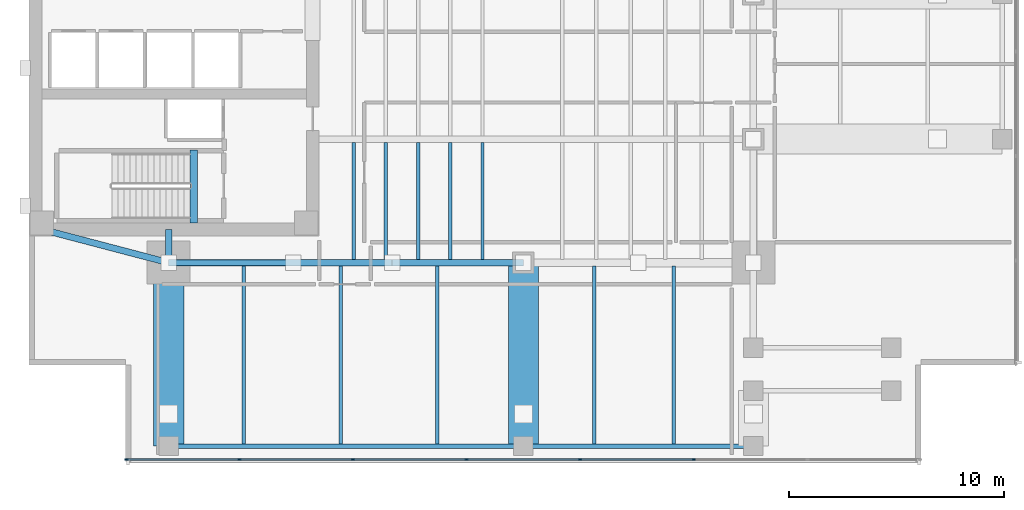
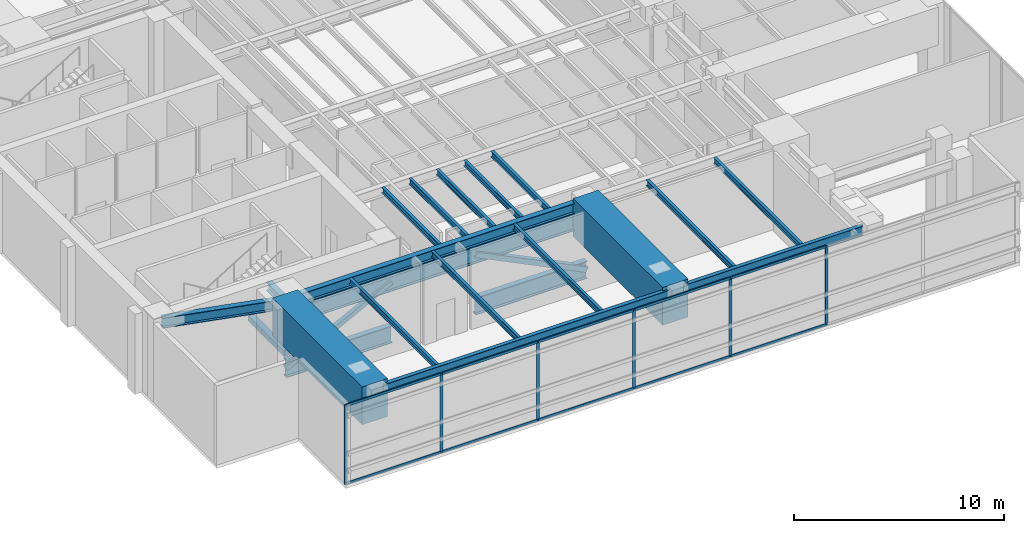
# One storey, part 2 of 14: 21 members, 18 beams, 1 element without a shape of its own.
"""IFC4 building model written with IfcOpenShell, lengths in metres."""

import ifcopenshell
import ifcopenshell.guid

model = None  # the IFC model being written
_history = None  # IfcOwnerHistory: only IFC2X3 demands one
_inside = {}  # id of a spatial element -> (the spatial element, [elements in it])
_under = {}  # id of a project, library or spatial element -> (it, [spatial elements below it])
_declared = {}  # id of a project -> (the project, [libraries it declares])
_typed = {}  # id of a type object -> (the type object, [elements of that type])
_made_of = {}  # id of a material, layer set ... -> (it, [elements and type objects made of it])


def new_model(schema):
    """Start an empty IFC model of exactly this schema.

    Asked for "IFC4X3", IfcOpenShell would pick the latest addendum, in which some entities
    have other attributes; the version numbers below select the first issue.
    IFC2X3 requires an IfcOwnerHistory on every rooted entity: one is made here for all.
    """
    global model, _history
    if schema == "IFC4X3":
        model = ifcopenshell.file(schema_version=(4, 3, 0, 0))
    else:
        model = ifcopenshell.file(schema=schema)
    _inside.clear()
    _under.clear()
    _declared.clear()
    _typed.clear()
    _made_of.clear()
    _history = None
    if model.schema == "IFC2X3":
        org = make("IfcOrganization", Name="unknown")
        user = make(
            "IfcPersonAndOrganization",
            ThePerson=make("IfcPerson", FamilyName="unknown"),
            TheOrganization=org,
        )
        app = make(
            "IfcApplication",
            ApplicationDeveloper=org,
            Version="unknown",
            ApplicationFullName="unknown",
            ApplicationIdentifier="unknown",
        )
        _history = make(
            "IfcOwnerHistory",
            OwningUser=user,
            OwningApplication=app,
            ChangeAction="ADDED",
            CreationDate=0,
        )
    return model


def make(cls, **values):
    """One entity of the class cls with the attributes given. An attribute that is None is left unset."""
    return model.create_entity(
        cls, **{name: value for name, value in values.items() if value is not None}
    )


def rooted(cls, **values):
    """An entity with a GlobalId (a new one), such as an element, a storey or a relation."""
    return make(cls, GlobalId=ifcopenshell.guid.new(), OwnerHistory=_history, **values)


def si_unit(unit_type, name, prefix=None):
    """IfcSIUnit, for example si_unit("LENGTHUNIT", "METRE", prefix="MILLI")."""
    return make("IfcSIUnit", UnitType=unit_type, Prefix=prefix, Name=name)


def assignment(units):
    """IfcUnitAssignment: the units of a project."""
    return None if units is None else make("IfcUnitAssignment", Units=units)


def point(xyz):
    """IfcCartesianPoint."""
    return None if xyz is None else make("IfcCartesianPoint", Coordinates=xyz)


def direction(xyz):
    """IfcDirection."""
    return None if xyz is None else make("IfcDirection", DirectionRatios=xyz)


def frame(location, z_axis=None, x_axis=None):
    """IfcAxis2Placement3D, a coordinate frame: its origin and axes. An axis left out is left unset."""
    return make(
        "IfcAxis2Placement3D",
        Location=point(location),
        Axis=direction(z_axis),
        RefDirection=direction(x_axis),
    )


def frame_2d(location, x_axis=None):
    """IfcAxis2Placement2D, a coordinate frame in the plane: its origin and x axis."""
    return make(
        "IfcAxis2Placement2D", Location=point(location), RefDirection=direction(x_axis)
    )


def origin():
    """The frame at (0, 0, 0) with its axes left unset."""
    return frame((0.0, 0.0, 0.0))


def origin_2d():
    """The frame at (0, 0) in the plane with its x axis left unset."""
    return frame_2d((0.0, 0.0))


def place(relative_to, where):
    """IfcLocalPlacement: puts the frame where relative to a parent placement (None: the world)."""
    return make(
        "IfcLocalPlacement", PlacementRelTo=relative_to, RelativePlacement=where
    )


def context(
    kind, dimensions, precision=None, world=None, true_north=None, identifier=None
):
    """IfcGeometricRepresentationContext, for example the 3D "Model" context."""
    return make(
        "IfcGeometricRepresentationContext",
        ContextIdentifier=identifier,
        ContextType=kind,
        CoordinateSpaceDimension=dimensions,
        Precision=precision,
        WorldCoordinateSystem=world,
        TrueNorth=true_north,
    )


def subcontext(parent, identifier, kind, view, scale=None):
    """IfcGeometricRepresentationSubContext, for example "Body" below "Model"."""
    return make(
        "IfcGeometricRepresentationSubContext",
        ContextIdentifier=identifier,
        ContextType=kind,
        ParentContext=parent,
        TargetScale=scale,
        TargetView=view,
    )


def project(units=None, contexts=None):
    """IfcProject with its units and contexts."""
    return rooted(
        "IfcProject",
        Name="project",
        RepresentationContexts=contexts,
        UnitsInContext=assignment(units),
    )


def spatial(cls, under=None, at=None, **own):
    """A site, building, storey or space (cls), placed at a placement, below another one or the project."""
    s = rooted(cls, ObjectPlacement=at, **own)
    if under is not None:
        _under.setdefault(under.id(), (under, []))[1].append(s)
    return s


def profile(cls, at=None, kind="AREA", **sizes):
    """A parametric profile (cls). Its sizes go by their IFC names, for example OverallWidth=200.0."""
    return make(cls, ProfileType=kind, Position=at, **sizes)


def rectangle(**sizes):
    """IfcRectangleProfileDef."""
    return profile("IfcRectangleProfileDef", **sizes)


def hollow_rectangle(**sizes):
    """IfcRectangleHollowProfileDef."""
    return profile("IfcRectangleHollowProfileDef", **sizes)


def i_section(**sizes):
    """IfcIShapeProfileDef."""
    return profile("IfcIShapeProfileDef", **sizes)


def extrude(swept, where, along, depth):
    """IfcExtrudedAreaSolid: the profile swept, set in the frame where, extruded along a direction by depth."""
    return make(
        "IfcExtrudedAreaSolid",
        SweptArea=swept,
        Position=where,
        ExtrudedDirection=direction(along),
        Depth=depth,
    )


def shape(context_of_items, identifier, shape_type, items):
    """IfcShapeRepresentation: the items that make up one representation, for example the "Body"."""
    return make(
        "IfcShapeRepresentation",
        ContextOfItems=context_of_items,
        RepresentationIdentifier=identifier,
        RepresentationType=shape_type,
        Items=items,
    )


def material(Name=None, Category=None):
    """IfcMaterial."""
    return make("IfcMaterial", Name=Name, Category=Category)


def layer(
    of_material, thickness, ventilated=None, Name=None, Category=None, Priority=None
):
    """IfcMaterialLayer: one layer of a wall or slab, of a material (None: an air gap)."""
    return make(
        "IfcMaterialLayer",
        Material=of_material,
        LayerThickness=thickness,
        IsVentilated=ventilated,
        Name=Name,
        Category=Category,
        Priority=Priority,
    )


def layer_set(layers, Name=None):
    """IfcMaterialLayerSet."""
    return make("IfcMaterialLayerSet", MaterialLayers=layers, LayerSetName=Name)


def material_profile(
    of_material, cross_section, Name=None, Category=None, Priority=None
):
    """IfcMaterialProfile: a cross section and its material."""
    return make(
        "IfcMaterialProfile",
        Name=Name,
        Material=of_material,
        Profile=cross_section,
        Priority=Priority,
        Category=Category,
    )


def profile_set(profiles, Name=None, composite=None):
    """IfcMaterialProfileSet."""
    return make(
        "IfcMaterialProfileSet",
        Name=Name,
        MaterialProfiles=profiles,
        CompositeProfile=composite,
    )


def made_of(thing, what):
    """Note that an element or type object is made of a material, layer set ...; save() writes the relation."""
    if what is not None:
        _made_of.setdefault(what.id(), (what, []))[1].append(thing)
    return thing


def type_object(cls, material=None, **own):
    """A type object (cls), such as IfcWallType, which elements share."""
    return made_of(rooted(cls, **own), material)


def element(
    cls,
    number,
    at=None,
    inside=None,
    cuts=None,
    type_object=None,
    material=None,
    context=None,
    identifier="Body",
    shape_type=None,
    held_by="IfcProductDefinitionShape",
    body=None,
    shapes=None,
    **own,
):
    """One element of the class cls, such as IfcWall. Its Tag is "e" and its number.

    at: its placement. inside: the storey or other place that contains it. cuts: it is an
    opening in that element (IfcRelVoidsElement). A single representation is given by context,
    identifier, shape_type and body (its items); several are given by shapes. held_by: the class
    of the entity that holds the representations. save() writes the other relations.
    """
    e = rooted(cls, Tag="e%d" % number, ObjectPlacement=at, **own)
    if body is not None:
        shapes = [shape(context, identifier, shape_type, body)]
    if shapes is not None:
        e.Representation = make(held_by, Representations=shapes)
    if inside is not None:
        _inside.setdefault(inside.id(), (inside, []))[1].append(e)
    if cuts is not None:
        rooted(
            "IfcRelVoidsElement", RelatingBuildingElement=cuts, RelatedOpeningElement=e
        )
    if type_object is not None:
        _typed.setdefault(type_object.id(), (type_object, []))[1].append(e)
    return made_of(e, material)


def aggregate(whole, parts):
    """IfcRelAggregates: a whole, such as a stair, and the parts it consists of."""
    return rooted("IfcRelAggregates", RelatingObject=whole, RelatedObjects=parts)


def save(model, path):
    """Write the relations noted so far, then the file.

    IfcRelAggregates (storeys below a building ...), IfcRelContainedInSpatialStructure (elements
    in a storey), IfcRelDefinesByType, IfcRelAssociatesMaterial and IfcRelDeclares: one each for
    every whole, place, type object, material and project.
    """
    for whole, parts in _under.values():
        aggregate(whole, parts)
    for where, things in _inside.values():
        rooted(
            "IfcRelContainedInSpatialStructure",
            RelatedElements=things,
            RelatingStructure=where,
        )
    for kind, things in _typed.values():
        rooted("IfcRelDefinesByType", RelatedObjects=things, RelatingType=kind)
    for what, things in _made_of.values():
        rooted("IfcRelAssociatesMaterial", RelatedObjects=things, RelatingMaterial=what)
    for by, libraries in _declared.values():
        rooted("IfcRelDeclares", RelatingContext=by, RelatedDefinitions=libraries)
    model.write(path)


model = new_model("IFC4")

# Units and contexts
model_context = context("Model", 3, precision=1e-05, world=origin(), true_north=direction((0.0, 1.0)))
body_context = subcontext(model_context, "Body", "Model", "MODEL_VIEW")
ifc_project = project(units=[si_unit("LENGTHUNIT", "METRE"), si_unit("AREAUNIT", "SQUARE_METRE"), si_unit("VOLUMEUNIT", "CUBIC_METRE"), si_unit("PLANEANGLEUNIT", "RADIAN"), si_unit("MASSUNIT", "GRAM", prefix="KILO")], contexts=[model_context])

# Site, building, storey
site_placement = place(None, origin())
site = spatial("IfcSite", under=ifc_project, at=site_placement, CompositionType="ELEMENT")
building_placement = place(site_placement, origin())
building = spatial("IfcBuilding", under=site, at=building_placement, Name="Kinhvarn Gate Tower", CompositionType="ELEMENT")
storey_placement = place(building_placement, frame((0.0, 0.0, 173.25)))
storey = spatial("IfcBuildingStorey", under=building, at=storey_placement, Name="L46", CompositionType="ELEMENT", Elevation=173.25)

# Beams
ifc_material_1 = material(Name="Concrete C50/60", Category="concrete")
ifc_material_profile_1 = material_profile(ifc_material_1, rectangle(XDim=0.340087890625, YDim=0.320068359375, at=origin_2d()), Name="RC 340x320")
ifc_profile_set_1 = profile_set([ifc_material_profile_1], Name="Concrete C50/60")
beam_type_1 = type_object("IfcBeamType", Name="BM-LND-500", PredefinedType="BEAM", material=ifc_profile_set_1)
beam_1_placement = place(storey_placement, frame((12.1650390625, 14.60009765625, -0.159912109375), z_axis=(0.0, 1.0, 0.0), x_axis=(-1.0, 0.0, 0.0)))
element("IfcBeam", 1, at=beam_1_placement, inside=storey, type_object=beam_type_1, Name="Stair ST1 Landing Nosing Beam (L46)", PredefinedType="BEAM", context=body_context, shape_type="SweptSolid", body=[
    extrude(rectangle(XDim=0.340087890625, YDim=0.320068359375, at=origin_2d()), origin(), (0.0, 0.0, 1.0), 3.39990234375),
])
ifc_material_2 = material(Name="Concrete C60/75", Category="concrete")
ifc_material_profile_2 = material_profile(ifc_material_2, rectangle(XDim=1.39990234375, YDim=2.199951171875, at=origin_2d()), Name="RC 1400x2200")
ifc_profile_set_2 = profile_set([ifc_material_profile_2], Name="Concrete C60/75")
beam_type_2 = type_object("IfcBeamType", Name="BM-TG-2200", PredefinedType="BEAM", material=ifc_profile_set_2)
for number, where, z_axis, x_axis, name in (
    (2, (11.0, 4.219970703125, 3.699951171875), (0.0, 1.0, 0.0), (-1.0, 0.0, 0.0), "Setback Transfer Girder TG-02-L47-CS-0"),
    (3, (27.5, 4.219970703125, 3.699951171875), (0.0, 1.0, 0.0), (-1.0, 0.0, 0.0), "Setback Transfer Girder TG-02-L47-CS-1"),
):
    element("IfcBeam", number, at=place(storey_placement, frame(where, z_axis=z_axis, x_axis=x_axis)), inside=storey, type_object=beam_type_2, Name=name, PredefinedType="BEAM", context=body_context, shape_type="SweptSolid", body=[
        extrude(rectangle(XDim=1.39990234375, YDim=2.199951171875, at=origin_2d()), origin(), (0.0, 0.0, 1.0), 8.530029296875),
    ])

# Curtain wall, members
ifc_material_3 = material(Name="Anodised aluminium AW-6063", Category="aluminium")
ifc_layer = layer(ifc_material_3, 0.179931640625)
ifc_layer_set = layer_set([ifc_layer], Name="Anodised aluminium AW-6063")
curtain_wall_type = type_object("IfcCurtainWallType", Name="CW-SYS-3", PredefinedType="NOTDEFINED", material=ifc_layer_set)
curtain_wall_placement = place(storey_placement, origin())
curtain_wall = element("IfcCurtainWall", 4, at=curtain_wall_placement, inside=storey, type_object=curtain_wall_type, Name="Curtain Wall CW3 (L46)", PredefinedType="NOTDEFINED")
ifc_material_profile_3 = material_profile(ifc_material_3, rectangle(XDim=0.06494140625, YDim=0.159912109375, at=origin_2d()), Name="ALU 65x160")
ifc_profile_set_3 = profile_set([ifc_material_profile_3], Name="Anodised aluminium AW-6063")
member_type_1 = type_object("IfcMemberType", Name="CW-MUL-160", PredefinedType="MULLION", material=ifc_profile_set_3)
member_1_placement = place(storey_placement, frame((9.032470703125, 3.590087890625, 0.0), z_axis=(0.0, 0.0, 1.0), x_axis=(0.0, 1.0, 0.0)))
member_1 = element("IfcMember", 5, at=member_1_placement, type_object=member_type_1, Name="CW3 mullion 1", PredefinedType="MULLION", context=body_context, shape_type="SweptSolid", body=[
    extrude(rectangle(XDim=0.06494140625, YDim=0.159912109375, at=origin_2d()), origin(), (0.0, 0.0, 1.0), 4.60009765625),
])
member_2_placement = place(storey_placement, frame((14.28564453125, 3.590087890625, 0.0), z_axis=(0.0, 0.0, 1.0), x_axis=(0.0, 1.0, 0.0)))
member_2 = element("IfcMember", 6, at=member_2_placement, type_object=member_type_1, Name="CW3 mullion 2", PredefinedType="MULLION", context=body_context, shape_type="SweptSolid", body=[
    extrude(rectangle(XDim=0.06494140625, YDim=0.159912109375, at=origin_2d()), origin(), (0.0, 0.0, 1.0), 4.60009765625),
])
member_3_placement = place(storey_placement, frame((19.571533203125, 3.590087890625, 0.0), z_axis=(0.0, 0.0, 1.0), x_axis=(0.0, 1.0, 0.0)))
member_3 = element("IfcMember", 7, at=member_3_placement, type_object=member_type_1, Name="CW3 mullion 3", PredefinedType="MULLION", context=body_context, shape_type="SweptSolid", body=[
    extrude(rectangle(XDim=0.06494140625, YDim=0.159912109375, at=origin_2d()), origin(), (0.0, 0.0, 1.0), 4.60009765625),
])
member_4_placement = place(storey_placement, frame((24.857177734375, 3.590087890625, 0.0), z_axis=(0.0, 0.0, 1.0), x_axis=(0.0, 1.0, 0.0)))
member_4 = element("IfcMember", 8, at=member_4_placement, type_object=member_type_1, Name="CW3 mullion 4", PredefinedType="MULLION", context=body_context, shape_type="SweptSolid", body=[
    extrude(rectangle(XDim=0.06494140625, YDim=0.159912109375, at=origin_2d()), origin(), (0.0, 0.0, 1.0), 4.60009765625),
])
member_5_placement = place(storey_placement, frame((30.142822265625, 3.590087890625, 0.0), z_axis=(0.0, 0.0, 1.0), x_axis=(0.0, 1.0, 0.0)))
member_5 = element("IfcMember", 9, at=member_5_placement, type_object=member_type_1, Name="CW3 mullion 5", PredefinedType="MULLION", context=body_context, shape_type="SweptSolid", body=[
    extrude(rectangle(XDim=0.06494140625, YDim=0.159912109375, at=origin_2d()), origin(), (0.0, 0.0, 1.0), 4.60009765625),
])
member_6_placement = place(storey_placement, frame((35.428466796875, 3.590087890625, 0.0), z_axis=(0.0, 0.0, 1.0), x_axis=(0.0, 1.0, 0.0)))
member_6 = element("IfcMember", 10, at=member_6_placement, type_object=member_type_1, Name="CW3 mullion 6", PredefinedType="MULLION", context=body_context, shape_type="SweptSolid", body=[
    extrude(rectangle(XDim=0.06494140625, YDim=0.159912109375, at=origin_2d()), origin(), (0.0, 0.0, 1.0), 4.60009765625),
])
ifc_material_profile_4 = material_profile(ifc_material_3, rectangle(XDim=0.070068359375, YDim=0.139892578125, at=origin_2d()), Name="ALU 70x140")
ifc_profile_set_4 = profile_set([ifc_material_profile_4], Name="Anodised aluminium AW-6063")
member_type_2 = type_object("IfcMemberType", Name="CW-TRN-140", PredefinedType="USERDEFINED", material=ifc_profile_set_4)
member_7_placement = place(storey_placement, frame((9.06494140625, 3.590087890625, 0.034912109375), z_axis=(1.0, 0.0, 0.0), x_axis=(0.0, 1.0, 0.0)))
member_7 = element("IfcMember", 11, at=member_7_placement, type_object=member_type_2, Name="CW3 transom 1.1", ObjectType="TRANSOM", PredefinedType="USERDEFINED", context=body_context, shape_type="SweptSolid", body=[
    extrude(rectangle(XDim=0.070068359375, YDim=0.139892578125, at=origin_2d()), origin(), (0.0, 0.0, 1.0), 5.188232421875),
])
member_8_placement = place(storey_placement, frame((9.06494140625, 3.590087890625, 4.56494140625), z_axis=(1.0, 0.0, 0.0), x_axis=(0.0, 1.0, 0.0)))
member_8 = element("IfcMember", 12, at=member_8_placement, type_object=member_type_2, Name="CW3 transom 1.2", ObjectType="TRANSOM", PredefinedType="USERDEFINED", context=body_context, shape_type="SweptSolid", body=[
    extrude(rectangle(XDim=0.070068359375, YDim=0.139892578125, at=origin_2d()), origin(), (0.0, 0.0, 1.0), 5.188232421875),
])
member_9_placement = place(storey_placement, frame((14.318115234375, 3.590087890625, 0.034912109375), z_axis=(1.0, 0.0, 0.0), x_axis=(0.0, 1.0, 0.0)))
member_9 = element("IfcMember", 13, at=member_9_placement, type_object=member_type_2, Name="CW3 transom 2.1", ObjectType="TRANSOM", PredefinedType="USERDEFINED", context=body_context, shape_type="SweptSolid", body=[
    extrude(rectangle(XDim=0.070068359375, YDim=0.139892578125, at=origin_2d()), origin(), (0.0, 0.0, 1.0), 5.220703125),
])
member_10_placement = place(storey_placement, frame((14.318115234375, 3.590087890625, 4.56494140625), z_axis=(1.0, 0.0, 0.0), x_axis=(0.0, 1.0, 0.0)))
member_10 = element("IfcMember", 14, at=member_10_placement, type_object=member_type_2, Name="CW3 transom 2.2", ObjectType="TRANSOM", PredefinedType="USERDEFINED", context=body_context, shape_type="SweptSolid", body=[
    extrude(rectangle(XDim=0.070068359375, YDim=0.139892578125, at=origin_2d()), origin(), (0.0, 0.0, 1.0), 5.220703125),
])
member_11_placement = place(storey_placement, frame((19.60400390625, 3.590087890625, 0.034912109375), z_axis=(1.0, 0.0, 0.0), x_axis=(0.0, 1.0, 0.0)))
member_11 = element("IfcMember", 15, at=member_11_placement, type_object=member_type_2, Name="CW3 transom 3.1", ObjectType="TRANSOM", PredefinedType="USERDEFINED", context=body_context, shape_type="SweptSolid", body=[
    extrude(rectangle(XDim=0.070068359375, YDim=0.139892578125, at=origin_2d()), origin(), (0.0, 0.0, 1.0), 5.220703125),
])
member_12_placement = place(storey_placement, frame((19.60400390625, 3.590087890625, 4.56494140625), z_axis=(1.0, 0.0, 0.0), x_axis=(0.0, 1.0, 0.0)))
member_12 = element("IfcMember", 16, at=member_12_placement, type_object=member_type_2, Name="CW3 transom 3.2", ObjectType="TRANSOM", PredefinedType="USERDEFINED", context=body_context, shape_type="SweptSolid", body=[
    extrude(rectangle(XDim=0.070068359375, YDim=0.139892578125, at=origin_2d()), origin(), (0.0, 0.0, 1.0), 5.220703125),
])
member_13_placement = place(storey_placement, frame((24.8896484375, 3.590087890625, 0.034912109375), z_axis=(1.0, 0.0, 0.0), x_axis=(0.0, 1.0, 0.0)))
member_13 = element("IfcMember", 17, at=member_13_placement, type_object=member_type_2, Name="CW3 transom 4.1", ObjectType="TRANSOM", PredefinedType="USERDEFINED", context=body_context, shape_type="SweptSolid", body=[
    extrude(rectangle(XDim=0.070068359375, YDim=0.139892578125, at=origin_2d()), origin(), (0.0, 0.0, 1.0), 5.220703125),
])
member_14_placement = place(storey_placement, frame((24.8896484375, 3.590087890625, 4.56494140625), z_axis=(1.0, 0.0, 0.0), x_axis=(0.0, 1.0, 0.0)))
member_14 = element("IfcMember", 18, at=member_14_placement, type_object=member_type_2, Name="CW3 transom 4.2", ObjectType="TRANSOM", PredefinedType="USERDEFINED", context=body_context, shape_type="SweptSolid", body=[
    extrude(rectangle(XDim=0.070068359375, YDim=0.139892578125, at=origin_2d()), origin(), (0.0, 0.0, 1.0), 5.220703125),
])
member_15_placement = place(storey_placement, frame((30.17529296875, 3.590087890625, 0.034912109375), z_axis=(1.0, 0.0, 0.0), x_axis=(0.0, 1.0, 0.0)))
member_15 = element("IfcMember", 19, at=member_15_placement, type_object=member_type_2, Name="CW3 transom 5.1", ObjectType="TRANSOM", PredefinedType="USERDEFINED", context=body_context, shape_type="SweptSolid", body=[
    extrude(rectangle(XDim=0.070068359375, YDim=0.139892578125, at=origin_2d()), origin(), (0.0, 0.0, 1.0), 5.220703125),
])
member_16_placement = place(storey_placement, frame((30.17529296875, 3.590087890625, 4.56494140625), z_axis=(1.0, 0.0, 0.0), x_axis=(0.0, 1.0, 0.0)))
member_16 = element("IfcMember", 20, at=member_16_placement, type_object=member_type_2, Name="CW3 transom 5.2", ObjectType="TRANSOM", PredefinedType="USERDEFINED", context=body_context, shape_type="SweptSolid", body=[
    extrude(rectangle(XDim=0.070068359375, YDim=0.139892578125, at=origin_2d()), origin(), (0.0, 0.0, 1.0), 5.220703125),
])
aggregate(curtain_wall, [member_1, member_2, member_3, member_4, member_5, member_6, member_7, member_8, member_9, member_10, member_11, member_12, member_13, member_14, member_15, member_16])

# Members
ifc_material_4 = material(Name="Steel S355", Category="steel")
ifc_material_profile_5 = material_profile(ifc_material_4, hollow_rectangle(XDim=0.25, YDim=0.25, WallThickness=0.011962890625, at=origin_2d()), Name="SHS 250x250x12")
ifc_profile_set_5 = profile_set([ifc_material_profile_5], Name="Steel S355")
member_type_3 = type_object("IfcMemberType", Name="MBR-SHS250x250x12", PredefinedType="BRACE", material=ifc_profile_set_5)
member_17_placement = place(storey_placement, frame((11.0, 12.75, 0.5), z_axis=(0.88821922143, 0.0, 0.459419867531), x_axis=(0.0, 1.0, 0.0)))
element("IfcMember", 21, at=member_17_placement, inside=storey, type_object=member_type_3, Name="Outrigger Truss Diagonal BR-06 (SHS 250x250x12)", PredefinedType="BRACE", context=body_context, shape_type="SweptSolid", body=[
    extrude(hollow_rectangle(XDim=0.25, YDim=0.25, WallThickness=0.011962890625, at=origin_2d()), origin(), (0.0, 0.0, 1.0), 6.530029296875),
])
ifc_material_profile_6 = material_profile(ifc_material_4, hollow_rectangle(XDim=0.300048828125, YDim=0.300048828125, WallThickness=0.01611328125, at=origin_2d()), Name="SHS 300x300x16")
ifc_profile_set_6 = profile_set([ifc_material_profile_6], Name="Steel S355")
member_type_4 = type_object("IfcMemberType", Name="MBR-SHS300x300x16", PredefinedType="BRACE", material=ifc_profile_set_6)
member_18_placement = place(storey_placement, frame((21.39990234375, 12.75, 3.5), z_axis=(0.897352764008, 0.0, -0.441313966386), x_axis=(0.0, 1.0, 0.0)))
element("IfcMember", 22, at=member_18_placement, inside=storey, type_object=member_type_4, Name="Outrigger Truss Diagonal BR-07 (SHS 300x300x16)", PredefinedType="BRACE", context=body_context, shape_type="SweptSolid", body=[
    extrude(hollow_rectangle(XDim=0.300048828125, YDim=0.300048828125, WallThickness=0.01611328125, at=origin_2d()), origin(), (0.0, 0.0, 1.0), 6.7978515625),
])
ifc_material_profile_7 = material_profile(ifc_material_4, i_section(OverallWidth=0.300048828125, OverallDepth=1.0, WebThickness=0.01904296875, FlangeThickness=0.035888671875, at=origin_2d()), Name="HEB 1000")
ifc_profile_set_7 = profile_set([ifc_material_profile_7], Name="Steel S355")
member_type_5 = type_object("IfcMemberType", Name="STL-HEB1000", PredefinedType="CHORD", material=ifc_profile_set_7)
member_19_placement = place(storey_placement, frame((11.0, 12.75, 0.5), z_axis=(1.0, 0.0, 0.0), x_axis=(0.0, 1.0, 0.0)))
element("IfcMember", 23, at=member_19_placement, inside=storey, type_object=member_type_5, Name="Outrigger Belt Chord BC-21 (L46 OUT-S1A-BOT)", PredefinedType="CHORD", context=body_context, shape_type="SweptSolid", body=[
    extrude(i_section(OverallWidth=0.300048828125, OverallDepth=1.0, WebThickness=0.01904296875, FlangeThickness=0.035888671875, at=origin_2d()), origin(), (0.0, 0.0, 1.0), 5.800048828125),
])
member_20_placement = place(storey_placement, frame((21.39990234375, 12.75, 0.5), z_axis=(1.0, 0.0, 0.0), x_axis=(0.0, 1.0, 0.0)))
element("IfcMember", 24, at=member_20_placement, inside=storey, type_object=member_type_5, Name="Outrigger Belt Chord BC-21 (L46 OUT-S1B-BOT)", PredefinedType="CHORD", context=body_context, shape_type="SweptSolid", body=[
    extrude(i_section(OverallWidth=0.300048828125, OverallDepth=1.0, WebThickness=0.01904296875, FlangeThickness=0.035888671875, at=origin_2d()), origin(), (0.0, 0.0, 1.0), 6.10009765625),
])
member_21_placement = place(storey_placement, frame((11.0, 12.75, 3.5), z_axis=(1.0, 0.0, 0.0), x_axis=(0.0, 1.0, 0.0)))
element("IfcMember", 25, at=member_21_placement, inside=storey, type_object=member_type_5, Name="Outrigger Belt Chord BC-21 (L46 OUT-S1-TOP)", PredefinedType="CHORD", context=body_context, shape_type="SweptSolid", body=[
    extrude(i_section(OverallWidth=0.300048828125, OverallDepth=1.0, WebThickness=0.01904296875, FlangeThickness=0.035888671875, at=origin_2d()), origin(), (0.0, 0.0, 1.0), 16.5),
])

# Beams
ifc_material_profile_8 = material_profile(ifc_material_4, i_section(OverallWidth=0.300048828125, OverallDepth=0.5, WebThickness=0.014404296875, FlangeThickness=0.028076171875, at=origin_2d()), Name="HEB 500")
ifc_profile_set_8 = profile_set([ifc_material_profile_8], Name="Steel S355")
beam_type_3 = type_object("IfcBeamType", Name="STL-HEB500", PredefinedType="BEAM", material=ifc_profile_set_8)
beam_2_placement = place(storey_placement, frame((11.0, 12.75, 4.35009765625), z_axis=(0.0, 1.0, 0.0), x_axis=(-1.0, 0.0, 0.0)))
element("IfcBeam", 26, at=beam_2_placement, inside=storey, type_object=beam_type_3, Name="Floor Beam PG-14 (L46 MCW-CS)", PredefinedType="BEAM", context=body_context, shape_type="SweptSolid", body=[
    extrude(i_section(OverallWidth=0.300048828125, OverallDepth=0.5, WebThickness=0.014404296875, FlangeThickness=0.028076171875, at=origin_2d()), origin(), (0.0, 0.0, 1.0), 1.550048828125),
])
ifc_material_profile_9 = material_profile(ifc_material_4, i_section(OverallWidth=0.300048828125, OverallDepth=0.60009765625, WebThickness=0.015380859375, FlangeThickness=0.030029296875, at=origin_2d()), Name="HEB 600")
ifc_profile_set_9 = profile_set([ifc_material_profile_9], Name="Steel S355")
beam_type_4 = type_object("IfcBeamType", Name="STL-HEB600", PredefinedType="BEAM", material=ifc_profile_set_9)
beam_3_placement = place(storey_placement, frame((11.0, 12.75, 4.300048828125), z_axis=(1.0, 0.0, 0.0), x_axis=(0.0, 1.0, 0.0)))
element("IfcBeam", 27, at=beam_3_placement, inside=storey, type_object=beam_type_4, Name="Floor Beam PG-16 (L46 MG-S1)", PredefinedType="BEAM", context=body_context, shape_type="SweptSolid", body=[
    extrude(i_section(OverallWidth=0.300048828125, OverallDepth=0.60009765625, WebThickness=0.015380859375, FlangeThickness=0.030029296875, at=origin_2d()), origin(), (0.0, 0.0, 1.0), 16.5),
])
beam_4_placement = place(storey_placement, frame((5.10009765625, 14.300048828125, 4.300048828125), z_axis=(0.967177623957, -0.254101246979, 0.0), x_axis=(0.254101246979, 0.967177623957, 0.0)))
element("IfcBeam", 28, at=beam_4_placement, inside=storey, type_object=beam_type_4, Name="Floor Beam PG-16 (L46 MG-SW-DIAG)", PredefinedType="BEAM", context=body_context, shape_type="SweptSolid", body=[
    extrude(i_section(OverallWidth=0.300048828125, OverallDepth=0.60009765625, WebThickness=0.015380859375, FlangeThickness=0.030029296875, at=origin_2d()), origin(), (0.0, 0.0, 1.0), 6.10009765625),
])
ifc_material_profile_10 = material_profile(ifc_material_4, i_section(OverallWidth=0.159912109375, OverallDepth=0.330078125, WebThickness=0.007568359375, FlangeThickness=0.011474609375, at=origin_2d()), Name="IPE 330")
ifc_profile_set_10 = profile_set([ifc_material_profile_10], Name="Steel S355")
beam_type_5 = type_object("IfcBeamType", Name="STL-IPE330", PredefinedType="JOIST", material=ifc_profile_set_10)
for number, where, z_axis, x_axis, name in (
    (29, (19.60009765625, 12.89990234375, 4.43505859375), (0.0, 1.0, 0.0), (-1.0, 0.0, 0.0), "Floor Joist SB-03 (L46 JC-X196-0)"),
    (30, (21.10009765625, 12.89990234375, 4.43505859375), (0.0, 1.0, 0.0), (-1.0, 0.0, 0.0), "Floor Joist SB-03 (L46 JC-X211-0)"),
    (31, (22.60009765625, 12.89990234375, 4.43505859375), (0.0, 1.0, 0.0), (-1.0, 0.0, 0.0), "Floor Joist SB-03 (L46 JC-X226-0)"),
    (32, (24.10009765625, 12.89990234375, 4.43505859375), (0.0, 1.0, 0.0), (-1.0, 0.0, 0.0), "Floor Joist SB-03 (L46 JC-X241-0)"),
    (33, (25.60009765625, 12.89990234375, 4.43505859375), (0.0, 1.0, 0.0), (-1.0, 0.0, 0.0), "Floor Joist SB-03 (L46 JC-X256-0)"),
):
    element("IfcBeam", number, at=place(storey_placement, frame(where, z_axis=z_axis, x_axis=x_axis)), inside=storey, type_object=beam_type_5, Name=name, PredefinedType="JOIST", context=body_context, shape_type="SweptSolid", body=[
        extrude(i_section(OverallWidth=0.159912109375, OverallDepth=0.330078125, WebThickness=0.007568359375, FlangeThickness=0.011474609375, at=origin_2d()), origin(), (0.0, 0.0, 1.0), 5.4501953125),
    ])
for number, where, z_axis, x_axis, name in (
    (34, (14.5, 4.324951171875, 4.43505859375), (0.0, 1.0, 0.0), (-1.0, 0.0, 0.0), "Floor Joist SB-03 (L46 JS-X145)"),
    (35, (19.0, 4.324951171875, 4.43505859375), (0.0, 1.0, 0.0), (-1.0, 0.0, 0.0), "Floor Joist SB-03 (L46 JS-X190)"),
    (36, (23.5, 4.324951171875, 4.43505859375), (0.0, 1.0, 0.0), (-1.0, 0.0, 0.0), "Floor Joist SB-03 (L46 JS-X235)"),
    (37, (30.800048828125, 4.324951171875, 4.43505859375), (0.0, 1.0, 0.0), (-1.0, 0.0, 0.0), "Floor Joist SB-03 (L46 JS-X308)"),
    (38, (34.5, 4.324951171875, 4.43505859375), (0.0, 1.0, 0.0), (-1.0, 0.0, 0.0), "Floor Joist SB-03 (L46 JS-X345)"),
):
    element("IfcBeam", number, at=place(storey_placement, frame(where, z_axis=z_axis, x_axis=x_axis)), inside=storey, type_object=beam_type_5, Name=name, PredefinedType="JOIST", context=body_context, shape_type="SweptSolid", body=[
        extrude(i_section(OverallWidth=0.159912109375, OverallDepth=0.330078125, WebThickness=0.007568359375, FlangeThickness=0.011474609375, at=origin_2d()), origin(), (0.0, 0.0, 1.0), 8.275146484375),
    ])
ifc_material_profile_11 = material_profile(ifc_material_4, i_section(OverallWidth=0.2099609375, OverallDepth=0.550048828125, WebThickness=0.010986328125, FlangeThickness=0.01708984375, at=origin_2d()), Name="IPE 550")
ifc_profile_set_11 = profile_set([ifc_material_profile_11], Name="Steel S355")
beam_type_6 = type_object("IfcBeamType", Name="STL-IPE550", PredefinedType="SPANDREL", material=ifc_profile_set_11)
beam_5_placement = place(storey_placement, frame((11.43505859375, 4.219970703125, 4.324951171875), z_axis=(1.0, 0.0, 0.0), x_axis=(0.0, 1.0, 0.0)))
element("IfcBeam", 39, at=beam_5_placement, inside=storey, type_object=beam_type_6, Name="Floor Spandrel SB-08 (L46 SP-S1)", PredefinedType="SPANDREL", context=body_context, shape_type="SweptSolid", body=[
    extrude(i_section(OverallWidth=0.2099609375, OverallDepth=0.550048828125, WebThickness=0.010986328125, FlangeThickness=0.01708984375, at=origin_2d()), origin(), (0.0, 0.0, 1.0), 15.6298828125),
])
beam_6_placement = place(storey_placement, frame((27.93505859375, 4.219970703125, 4.324951171875), z_axis=(1.0, 0.0, 0.0), x_axis=(0.0, 1.0, 0.0)))
element("IfcBeam", 40, at=beam_6_placement, inside=storey, type_object=beam_type_6, Name="Floor Spandrel SB-08 (L46 SP-S2)", PredefinedType="SPANDREL", context=body_context, shape_type="SweptSolid", body=[
    extrude(i_section(OverallWidth=0.2099609375, OverallDepth=0.550048828125, WebThickness=0.010986328125, FlangeThickness=0.01708984375, at=origin_2d()), origin(), (0.0, 0.0, 1.0), 9.829833984375),
])

save(model, "model.ifc")
